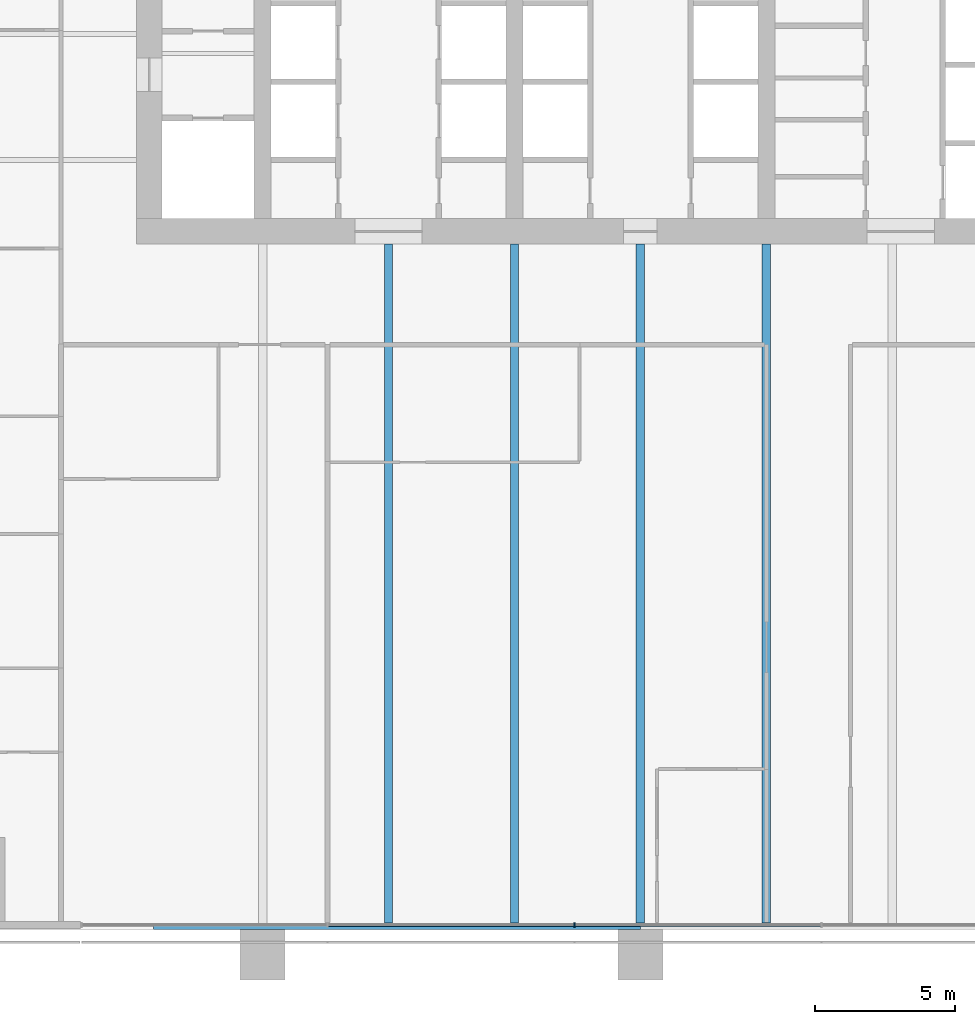
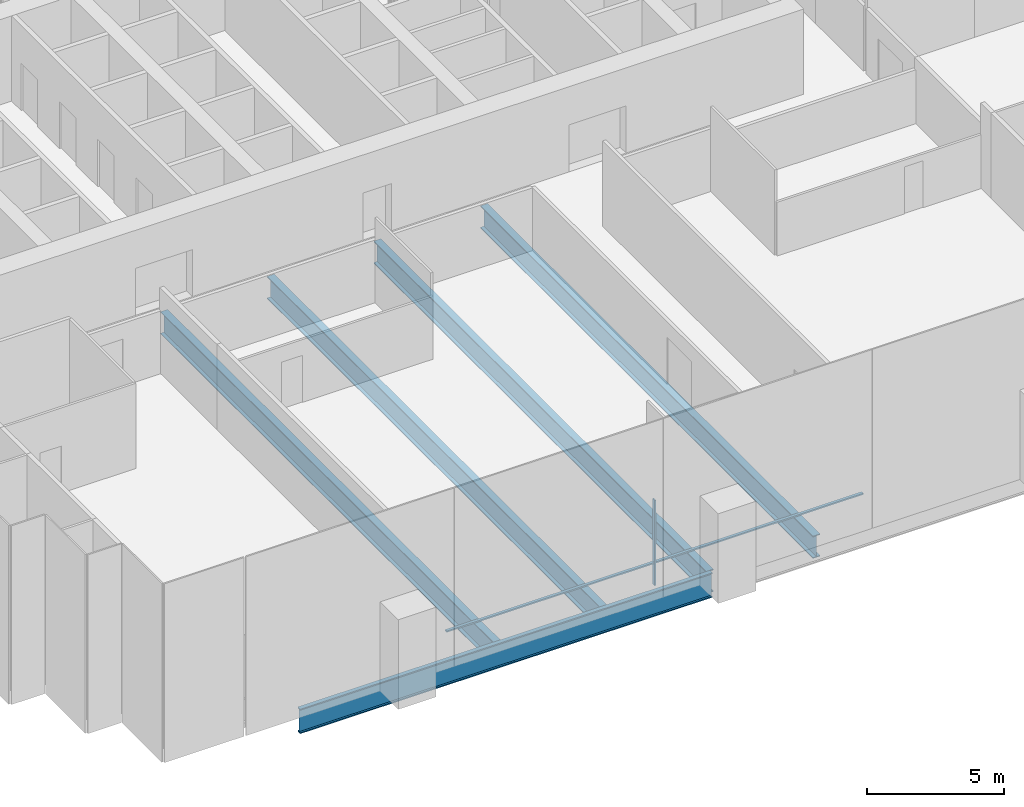
# One storey, part 3 of 19: 5 beams, 3 members, 1 element without a shape of its own.
"""IFC4 building model written with IfcOpenShell, lengths in metres."""

from ifc_helpers import new_model, si_unit, direction, frame, origin, origin_2d, place, context, subcontext, project, spatial, rectangle, i_section, extrude, material, material_profile, profile_set, type_object, element, aggregate, save


model = new_model("IFC4")

# Units and contexts
model_context = context("Model", 3, precision=1e-05, world=origin(), true_north=direction((0.0, 1.0)))
body_context = subcontext(model_context, "Body", "Model", "MODEL_VIEW")
ifc_project = project(units=[si_unit("LENGTHUNIT", "METRE"), si_unit("AREAUNIT", "SQUARE_METRE"), si_unit("VOLUMEUNIT", "CUBIC_METRE"), si_unit("PLANEANGLEUNIT", "RADIAN"), si_unit("MASSUNIT", "GRAM", prefix="KILO")], contexts=[model_context])

# Site, building, storey
site_placement = place(None, origin())
site = spatial("IfcSite", under=ifc_project, at=site_placement, CompositionType="ELEMENT")
building_placement = place(site_placement, origin())
building = spatial("IfcBuilding", under=site, at=building_placement, Name="Rattan Terrace Tower", CompositionType="ELEMENT")
storey_placement = place(building_placement, frame((0.0, 0.0, 91.699951171875)))
storey = spatial("IfcBuildingStorey", under=building, at=storey_placement, Name="L20", CompositionType="ELEMENT", Elevation=91.699951171875)

# Curtain wall, members
ifc_material_1 = material(Name="Aluminium and glass", Category="aluminium")
curtain_wall_type = type_object("IfcCurtainWallType", Name="Facade Unitised Curtain Wall", PredefinedType="NOTDEFINED", material=ifc_material_1)
curtain_wall_placement = place(storey_placement, origin())
curtain_wall = element("IfcCurtainWall", 1, at=curtain_wall_placement, inside=storey, type_object=curtain_wall_type, Name="Curtain wall L20-4", PredefinedType="NOTDEFINED")
ifc_material_2 = material(Name="Aluminium", Category="aluminium")
ifc_material_profile_1 = material_profile(ifc_material_2, rectangle(XDim=0.06005859375, YDim=0.159912109375, at=origin_2d()), Name="Aluminium 60x160")
ifc_profile_set_1 = profile_set([ifc_material_profile_1], Name="Aluminium")
member_type_1 = type_object("IfcMemberType", Name="Facade CW Mullion 60x160", PredefinedType="MULLION", material=ifc_profile_set_1)
member_1_placement = place(storey_placement, frame((-2.35400390625, -31.830078125, 0.0), z_axis=(0.0, 0.0, 1.0), x_axis=(1.0, 0.0, 0.0)))
member_1 = element("IfcMember", 2, at=member_1_placement, type_object=member_type_1, Name="Mullion cwl-L20-004.3", PredefinedType="MULLION", context=body_context, shape_type="SweptSolid", body=[
    extrude(rectangle(XDim=0.06005859375, YDim=0.159912109375, at=origin_2d()), origin(), (0.0, 0.0, 1.0), 3.800048828125),
])
ifc_material_3 = material(Name="Aluminium", Category="aluminium")
ifc_material_profile_2 = material_profile(ifc_material_3, rectangle(XDim=0.1201171875, YDim=0.06005859375, at=origin_2d()), Name="Aluminium 120x60")
ifc_profile_set_2 = profile_set([ifc_material_profile_2], Name="Aluminium")
member_type_2 = type_object("IfcMemberType", Name="Facade CW Transom 120x60", PredefinedType="USERDEFINED", material=ifc_profile_set_2)
member_2_placement = place(storey_placement, frame((-11.14697265625, -31.830078125, 1.0), z_axis=(1.0, 0.0, 0.0), x_axis=(0.0, 1.0, 0.0)))
member_2 = element("IfcMember", 3, at=member_2_placement, type_object=member_type_2, Name="Transom cwl-L20-004.2", ObjectType="TRANSOM", PredefinedType="USERDEFINED", context=body_context, shape_type="SweptSolid", body=[
    extrude(rectangle(XDim=0.1201171875, YDim=0.06005859375, at=origin_2d()), origin(), (0.0, 0.0, 1.0), 8.762939453125),
])
member_3_placement = place(storey_placement, frame((-2.323974609375, -31.830078125, 1.0), z_axis=(1.0, 0.0, 0.0), x_axis=(0.0, 1.0, 0.0)))
member_3 = element("IfcMember", 4, at=member_3_placement, type_object=member_type_2, Name="Transom cwl-L20-004.3", ObjectType="TRANSOM", PredefinedType="USERDEFINED", context=body_context, shape_type="SweptSolid", body=[
    extrude(rectangle(XDim=0.1201171875, YDim=0.06005859375, at=origin_2d()), origin(), (0.0, 0.0, 1.0), 8.762939453125),
])
aggregate(curtain_wall, [member_1, member_2, member_3])

# Beams
ifc_material_4 = material(Name="Steel S460", Category="steel")
ifc_material_profile_3 = material_profile(ifc_material_4, i_section(OverallWidth=0.179931640625, OverallDepth=1.10009765625, WebThickness=0.01611328125, FlangeThickness=0.050048828125, at=origin_2d()), Name="PG 1100x180-16-50")
ifc_profile_set_3 = profile_set([ifc_material_profile_3], Name="Steel S460")
beam_type_1 = type_object("IfcBeamType", Name="Frame edge girder PG 1100x180-16-50", PredefinedType="SPANDREL", material=ifc_profile_set_3)
beam_placement = place(storey_placement, frame((-17.39990234375, -31.909912109375, -0.75), z_axis=(1.0, 0.0, 0.0), x_axis=(0.0, 1.0, 0.0)))
element("IfcBeam", 5, at=beam_placement, inside=storey, type_object=beam_type_1, Name="gdr-L20-001", PredefinedType="SPANDREL", context=body_context, shape_type="SweptSolid", body=[
    extrude(i_section(OverallWidth=0.179931640625, OverallDepth=1.10009765625, WebThickness=0.01611328125, FlangeThickness=0.050048828125, at=origin_2d()), origin(), (0.0, 0.0, 1.0), 17.39990234375),
])
ifc_material_5 = material(Name="Steel S460", Category="steel")
ifc_material_profile_4 = material_profile(ifc_material_5, i_section(OverallWidth=0.300048828125, OverallDepth=1.0, WebThickness=0.013916015625, FlangeThickness=0.0400390625, at=origin_2d()), Name="PG 1000x300-14-40")
ifc_profile_set_4 = profile_set([ifc_material_profile_4], Name="Steel S460")
beam_type_2 = type_object("IfcBeamType", Name="Frame floor beam PG 1000x300-14-40", PredefinedType="JOIST", material=ifc_profile_set_4)
for number, where, z_axis, x_axis, name in (
    (6, (-9.0, -31.820068359375, -0.699951171875), (0.0, 1.0, 0.0), (-1.0, 0.0, 0.0), "bm-L20-004"),
    (7, (-4.5, -31.820068359375, -0.699951171875), (0.0, 1.0, 0.0), (-1.0, 0.0, 0.0), "bm-L20-005"),
    (8, (0.0, -31.820068359375, -0.699951171875), (0.0, 1.0, 0.0), (-1.0, 0.0, 0.0), "bm-L20-006"),
    (9, (4.5, -31.820068359375, -0.699951171875), (0.0, 1.0, 0.0), (-1.0, 0.0, 0.0), "bm-L20-007"),
):
    element("IfcBeam", number, at=place(storey_placement, frame(where, z_axis=z_axis, x_axis=x_axis)), inside=storey, type_object=beam_type_2, Name=name, PredefinedType="JOIST", context=body_context, shape_type="SweptSolid", body=[
        extrude(i_section(OverallWidth=0.300048828125, OverallDepth=1.0, WebThickness=0.013916015625, FlangeThickness=0.0400390625, at=origin_2d()), origin(), (0.0, 0.0, 1.0), 24.320068359375),
    ])

save(model, "model.ifc")
